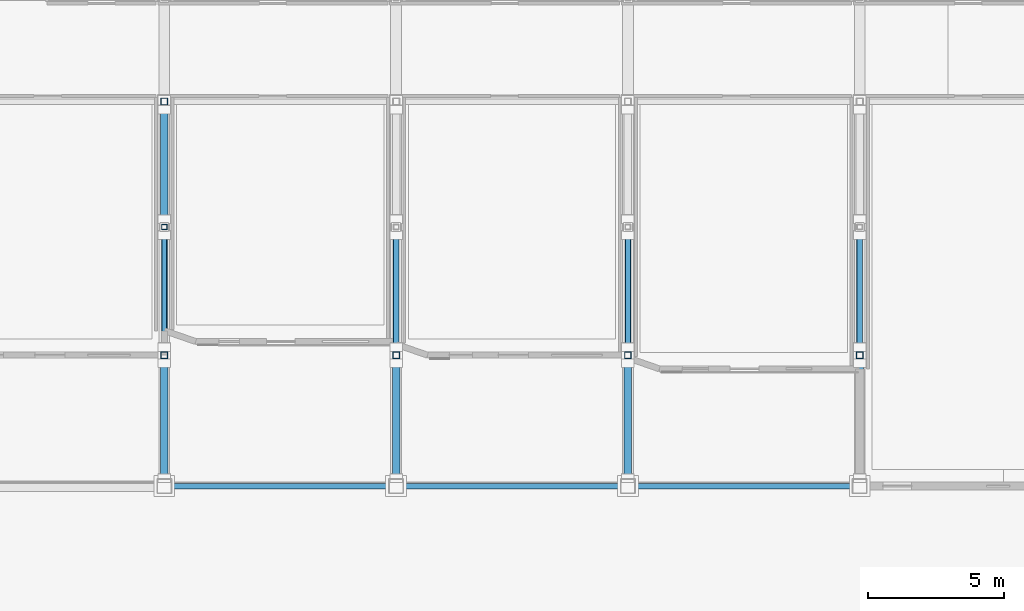
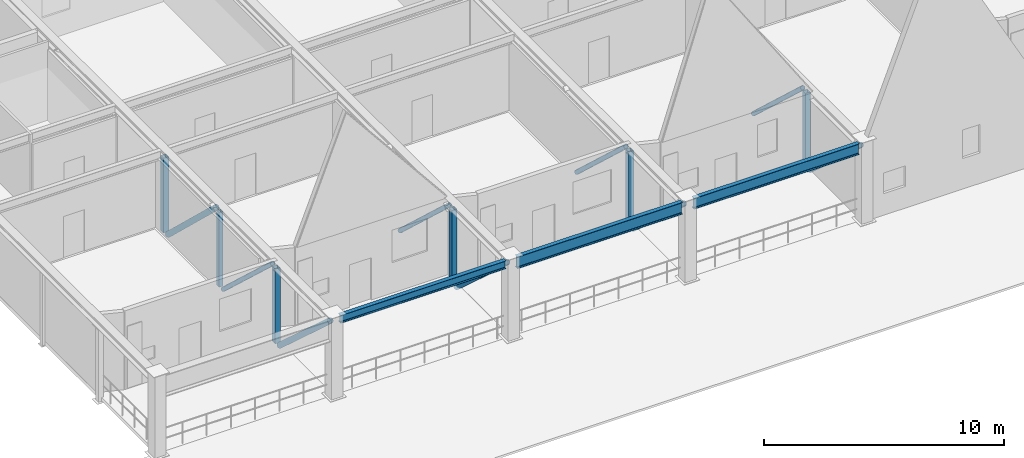
# One storey, part 26 of 78: 15 members, 3 beams.
"""IFC4 building model written with IfcOpenShell, lengths in metres."""

from ifc_helpers import new_model, si_unit, direction, frame, origin, origin_2d, place, context, subcontext, project, spatial, hollow_rectangle, hollow_circle, i_section, extrude, material, material_profile, profile_set, type_object, element, save


model = new_model("IFC4")

# Units and contexts
model_context = context("Model", 3, precision=1e-05, world=origin(), true_north=direction((0.0, 1.0)))
body_context = subcontext(model_context, "Body", "Model", "MODEL_VIEW")
ifc_project = project(units=[si_unit("LENGTHUNIT", "METRE"), si_unit("AREAUNIT", "SQUARE_METRE"), si_unit("VOLUMEUNIT", "CUBIC_METRE"), si_unit("PLANEANGLEUNIT", "RADIAN"), si_unit("MASSUNIT", "GRAM", prefix="KILO"), si_unit("THERMODYNAMICTEMPERATUREUNIT", "KELVIN"), si_unit("POWERUNIT", "WATT")], contexts=[model_context])

# Site, building, storey
site_placement = place(None, origin())
site = spatial("IfcSite", under=ifc_project, at=site_placement, CompositionType="ELEMENT")
building_placement = place(site_placement, origin())
building = spatial("IfcBuilding", under=site, at=building_placement, Name="Zhenchuan Central Fire Station", CompositionType="ELEMENT")
storey_placement = place(building_placement, frame((0.0, 0.0, 5.85009765625)))
storey = spatial("IfcBuildingStorey", under=building, at=storey_placement, Name="L02", CompositionType="ELEMENT", Elevation=5.85009765625)

# Beams
ifc_material = material(Name="Steel Q355B", Category="steel")
ifc_material_profile_1 = material_profile(ifc_material, i_section(OverallWidth=0.199951171875, OverallDepth=0.550048828125, WebThickness=0.010009765625, FlangeThickness=0.01611328125, FilletRadius=0.02001953125, at=origin_2d()), Name="HN 550x200")
ifc_profile_set_1 = profile_set([ifc_material_profile_1], Name="Steel Q355B")
beam_type_1 = type_object("IfcBeamType", Name="BM-HN550-INT", PredefinedType="BEAM", material=ifc_profile_set_1)
beam_1_placement = place(storey_placement, frame((81.77490234375, 6.5, 3.724853515625), z_axis=(1.0, 0.0, 0.0), x_axis=(0.0, 1.0, 0.0)))
element("IfcBeam", 1, at=beam_1_placement, inside=storey, type_object=beam_type_1, Name="L03 Girder EW 0199", PredefinedType="BEAM", context=body_context, shape_type="SweptSolid", body=[
    extrude(i_section(OverallWidth=0.199951171875, OverallDepth=0.550048828125, WebThickness=0.010009765625, FlangeThickness=0.01611328125, FilletRadius=0.02001953125, at=origin_2d()), origin(), (0.0, 0.0, 1.0), 7.9501953125),
])
ifc_material_profile_2 = material_profile(ifc_material, i_section(OverallWidth=0.199951171875, OverallDepth=0.60009765625, WebThickness=0.010986328125, FlangeThickness=0.01708984375, FilletRadius=0.02197265625, at=origin_2d()), Name="HN 600x200")
ifc_profile_set_2 = profile_set([ifc_material_profile_2], Name="Steel Q355B")
beam_type_2 = type_object("IfcBeamType", Name="BM-HN600-INT", PredefinedType="BEAM", material=ifc_profile_set_2)
beam_2_placement = place(storey_placement, frame((73.27490234375, 6.5, 3.699951171875), z_axis=(1.0, 0.0, 0.0), x_axis=(0.0, 1.0, 0.0)))
element("IfcBeam", 2, at=beam_2_placement, inside=storey, type_object=beam_type_2, Name="L03 Girder EW 0198", PredefinedType="BEAM", context=body_context, shape_type="SweptSolid", body=[
    extrude(i_section(OverallWidth=0.199951171875, OverallDepth=0.60009765625, WebThickness=0.010986328125, FlangeThickness=0.01708984375, FilletRadius=0.02197265625, at=origin_2d()), origin(), (0.0, 0.0, 1.0), 7.9501953125),
])

# Members
ifc_material_profile_3 = material_profile(ifc_material, hollow_circle(Radius=0.109619140625, WallThickness=0.010009765625, at=origin_2d()), Name="CHS 219.1x10")
ifc_profile_set_3 = profile_set([ifc_material_profile_3], Name="Steel Q355B")
member_type_1 = type_object("IfcMemberType", Name="MB-BR-CHS219", PredefinedType="BRACE", material=ifc_profile_set_3)
for number, where, z_axis, x_axis, name in (
    (3, (64.5, 11.60009765625, 3.599853515625), (0.0, 0.733413833136, -0.679782427961), (-1.0, 0.0, 0.0), "Transfer Truss TT-02 Web Diagonal 2"),
    (4, (73.0, 11.60009765625, 3.599853515625), (0.0, 0.733413833136, -0.679782427961), (-1.0, 0.0, 0.0), "Transfer Truss TT-03 Web Diagonal 2"),
    (5, (81.5, 11.60009765625, 3.599853515625), (0.0, 0.733413833136, -0.679782427961), (-1.0, 0.0, 0.0), "Transfer Truss TT-04 Web Diagonal 2"),
    (6, (90.0, 11.60009765625, 3.599853515625), (0.0, 0.733413833136, -0.679782427961), (-1.0, 0.0, 0.0), "Transfer Truss TT-05 Web Diagonal 2"),
):
    element("IfcMember", number, at=place(storey_placement, frame(where, z_axis=z_axis, x_axis=x_axis)), inside=storey, type_object=member_type_1, Name=name, PredefinedType="BRACE", context=body_context, shape_type="SweptSolid", body=[
        extrude(hollow_circle(Radius=0.109619140625, WallThickness=0.010009765625, at=origin_2d()), origin(), (0.0, 0.0, 1.0), 5.590087890625),
    ])
ifc_material_profile_4 = material_profile(ifc_material, hollow_circle(Radius=0.136474609375, WallThickness=0.011962890625, at=origin_2d()), Name="CHS 273x12")
ifc_profile_set_4 = profile_set([ifc_material_profile_4], Name="Steel Q355B")
member_type_2 = type_object("IfcMemberType", Name="MB-BR-CHS273", PredefinedType="BRACE", material=ifc_profile_set_4)
member_1_placement = place(storey_placement, frame((64.5, 6.800048828125, 3.599853515625), z_axis=(0.0, 0.741527609628, -0.670922353302), x_axis=(-1.0, 0.0, 0.0)))
element("IfcMember", 7, at=member_1_placement, inside=storey, type_object=member_type_2, Name="Transfer Truss TT-02 Web Diagonal 1", PredefinedType="BRACE", context=body_context, shape_type="SweptSolid", body=[
    extrude(hollow_circle(Radius=0.136474609375, WallThickness=0.011962890625, at=origin_2d()), origin(), (0.0, 0.0, 1.0), 5.663818359375),
])
member_2_placement = place(storey_placement, frame((64.5, 16.300048828125, 3.599853515625), z_axis=(0.0, 0.724995014376, -0.688754113694), x_axis=(-1.0, 0.0, 0.0)))
element("IfcMember", 8, at=member_2_placement, inside=storey, type_object=member_type_2, Name="Transfer Truss TT-02 Web Diagonal 3", PredefinedType="BRACE", context=body_context, shape_type="SweptSolid", body=[
    extrude(hollow_circle(Radius=0.136474609375, WallThickness=0.011962890625, at=origin_2d()), origin(), (0.0, 0.0, 1.0), 5.517333984375),
])
for number, where, z_axis, x_axis, name in (
    (9, (73.0, 6.800048828125, 3.599853515625), (0.0, 0.741527609628, -0.670922353302), (-1.0, 0.0, 0.0), "Transfer Truss TT-03 Web Diagonal 1"),
    (10, (81.5, 6.800048828125, 3.599853515625), (0.0, 0.741527609628, -0.670922353302), (-1.0, 0.0, 0.0), "Transfer Truss TT-04 Web Diagonal 1"),
    (11, (90.0, 6.800048828125, 3.599853515625), (0.0, 0.741527609628, -0.670922353302), (-1.0, 0.0, 0.0), "Transfer Truss TT-05 Web Diagonal 1"),
):
    element("IfcMember", number, at=place(storey_placement, frame(where, z_axis=z_axis, x_axis=x_axis)), inside=storey, type_object=member_type_2, Name=name, PredefinedType="BRACE", context=body_context, shape_type="SweptSolid", body=[
        extrude(hollow_circle(Radius=0.136474609375, WallThickness=0.011962890625, at=origin_2d()), origin(), (0.0, 0.0, 1.0), 5.663818359375),
    ])
ifc_material_profile_5 = material_profile(ifc_material, hollow_rectangle(XDim=0.199951171875, YDim=0.199951171875, WallThickness=0.010009765625, at=origin_2d()), Name="SHS 200x200x10")
ifc_profile_set_5 = profile_set([ifc_material_profile_5], Name="Steel Q355B")
member_type_3 = type_object("IfcMemberType", Name="MB-CH-SHS200", PredefinedType="CHORD", material=ifc_profile_set_5)
member_3_placement = place(storey_placement, frame((64.5, 16.0, -0.2001953125), z_axis=(0.0, 0.0, 1.0), x_axis=(1.0, 0.0, 0.0)))
element("IfcMember", 12, at=member_3_placement, inside=storey, type_object=member_type_3, Name="Transfer Truss TT-02 Web Post 2", PredefinedType="CHORD", context=body_context, shape_type="SweptSolid", body=[
    extrude(hollow_rectangle(XDim=0.199951171875, YDim=0.199951171875, WallThickness=0.010009765625, at=origin_2d()), origin(), (0.0, 0.0, 1.0), 3.800048828125),
])
ifc_material_profile_6 = material_profile(ifc_material, hollow_rectangle(XDim=0.25, YDim=0.25, WallThickness=0.011962890625, at=origin_2d()), Name="SHS 250x250x12")
ifc_profile_set_6 = profile_set([ifc_material_profile_6], Name="Steel Q355B")
member_type_4 = type_object("IfcMemberType", Name="MB-CH-SHS250", PredefinedType="CHORD", material=ifc_profile_set_6)
for number, where, z_axis, x_axis, name in (
    (13, (64.5, 11.300048828125, -0.2001953125), (0.0, 0.0, 1.0), (1.0, 0.0, 0.0), "Transfer Truss TT-02 Web Post 1"),
    (14, (64.5, 20.60009765625, -0.2001953125), (0.0, 0.0, 1.0), (1.0, 0.0, 0.0), "Transfer Truss TT-02 Web Post 3"),
    (15, (73.0, 11.300048828125, -0.2001953125), (0.0, 0.0, 1.0), (1.0, 0.0, 0.0), "Transfer Truss TT-03 Web Post 1"),
    (16, (81.5, 11.300048828125, -0.2001953125), (0.0, 0.0, 1.0), (1.0, 0.0, 0.0), "Transfer Truss TT-04 Web Post 1"),
    (17, (90.0, 11.300048828125, -0.2001953125), (0.0, 0.0, 1.0), (1.0, 0.0, 0.0), "Transfer Truss TT-05 Web Post 1"),
):
    element("IfcMember", number, at=place(storey_placement, frame(where, z_axis=z_axis, x_axis=x_axis)), inside=storey, type_object=member_type_4, Name=name, PredefinedType="CHORD", context=body_context, shape_type="SweptSolid", body=[
        extrude(hollow_rectangle(XDim=0.25, YDim=0.25, WallThickness=0.011962890625, at=origin_2d()), origin(), (0.0, 0.0, 1.0), 3.800048828125),
    ])

# Beam
ifc_material_profile_7 = material_profile(ifc_material, i_section(OverallWidth=0.199951171875, OverallDepth=0.39990234375, WebThickness=0.008056640625, FlangeThickness=0.012939453125, FilletRadius=0.01611328125, at=origin_2d()), Name="HN 400x200")
ifc_profile_set_7 = profile_set([ifc_material_profile_7], Name="Steel Q355B")
beam_type_3 = type_object("IfcBeamType", Name="SP-HN400-INT", PredefinedType="SPANDREL", material=ifc_profile_set_7)
beam_3_placement = place(storey_placement, frame((64.77490234375, 6.5, 3.7998046875), z_axis=(1.0, 0.0, 0.0), x_axis=(0.0, 1.0, 0.0)))
element("IfcBeam", 18, at=beam_3_placement, inside=storey, type_object=beam_type_3, Name="L03 Girder EW 0197", PredefinedType="SPANDREL", context=body_context, shape_type="SweptSolid", body=[
    extrude(i_section(OverallWidth=0.199951171875, OverallDepth=0.39990234375, WebThickness=0.008056640625, FlangeThickness=0.012939453125, FilletRadius=0.01611328125, at=origin_2d()), origin(), (0.0, 0.0, 1.0), 7.9501953125),
])

save(model, "model.ifc")
